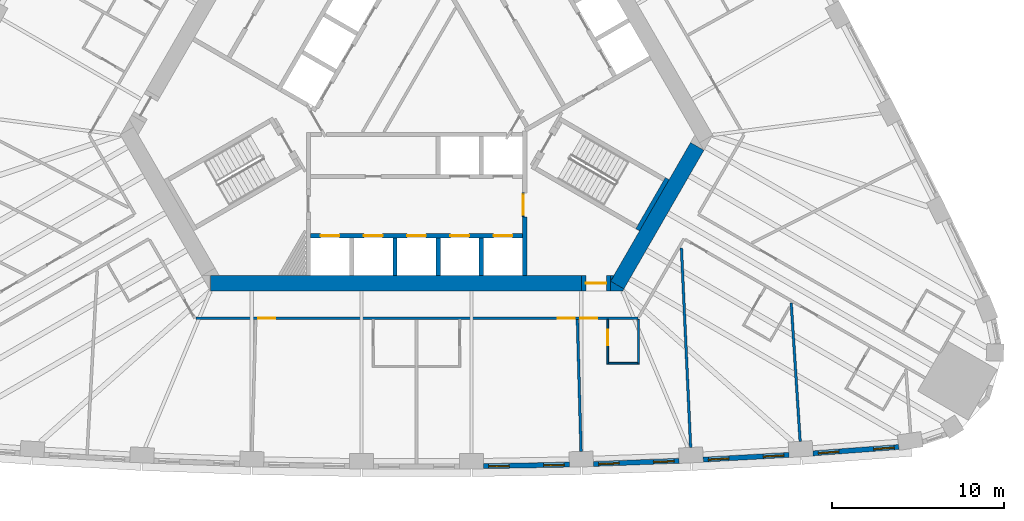
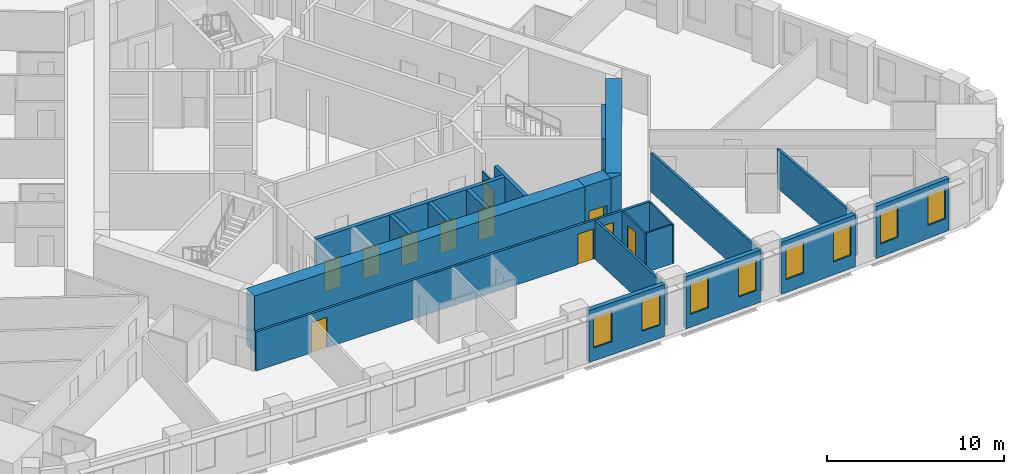
# One storey, part 6 of 12: 23 walls, 11 doors, 8 windows, 19 openings.
"""IFC4 building model written with IfcOpenShell, lengths in metres."""

from ifc_helpers import new_model, si_unit, direction, frame, frame_2d, origin, place, context, subcontext, project, spatial, polyline, rectangle, outline, extrude, material, layer, layer_set, type_object, element, fill, save


model = new_model("IFC4")

# Units and contexts
model_context = context("Model", 3, precision=1e-05, world=origin(), true_north=direction((0.0, 1.0)))
body_context = subcontext(model_context, "Body", "Model", "MODEL_VIEW")
ifc_project = project(units=[si_unit("LENGTHUNIT", "METRE"), si_unit("AREAUNIT", "SQUARE_METRE"), si_unit("VOLUMEUNIT", "CUBIC_METRE"), si_unit("PLANEANGLEUNIT", "RADIAN"), si_unit("MASSUNIT", "GRAM", prefix="KILO")], contexts=[model_context])

# Site, building, storey
site_placement = place(None, origin())
site = spatial("IfcSite", under=ifc_project, at=site_placement, CompositionType="ELEMENT")
building_placement = place(site_placement, origin())
building = spatial("IfcBuilding", under=site, at=building_placement, Name="Mestral Congress Tower", CompositionType="ELEMENT")
storey_placement = place(building_placement, frame((0.0, 0.0, 74.39990234375)))
storey = spatial("IfcBuildingStorey", under=building, at=storey_placement, Name="L17", CompositionType="ELEMENT", Elevation=74.39990234375)

# Wall, opening, door
ifc_material_1 = material(Name="Fire-rated board partition")
ifc_layer_1 = layer(ifc_material_1, 0.090087890625)
ifc_layer_set_1 = layer_set([ifc_layer_1], Name="Fire-rated board partition")
wall_type_1 = type_object("IfcWallType", Name="Core partition 150 door-wall 90", PredefinedType="PARTITIONING", material=ifc_layer_set_1)
wall_1_placement = place(storey_placement, frame((6.219970703125, -7.266357421875, 0.0), z_axis=(0.0, 0.0, 1.0), x_axis=(0.0, -1.0, 0.0)))
wall_1 = element("IfcWall", 1, at=wall_1_placement, inside=storey, type_object=wall_type_1, Name="L17 door wall", PredefinedType="PARTITIONING", context=body_context, shape_type="SweptSolid", body=[
    extrude(rectangle(XDim=1.400146484375, YDim=0.090087890625, at=frame_2d((0.7001953125, 0.0))), origin(), (0.0, 0.0, 1.0), 2.7001953125),
])
opening_1_placement = place(wall_1_placement, frame((0.10009765625, 0.0, 0.0)))
opening_1 = element("IfcOpeningElement", 2, at=opening_1_placement, cuts=wall_1, Name="Opening LB0-WL1", PredefinedType="OPENING", context=body_context, shape_type="SweptSolid", body=[
    extrude(rectangle(XDim=1.199951171875, YDim=2.10009765625, at=frame_2d((0.60009765625, 1.050048828125))), frame((0.0, 0.054931640625, 0.0), z_axis=(0.0, -1.0, 0.0), x_axis=(1.0, 0.0, 0.0)), (0.0, 0.0, 1.0), 0.110107421875),
])
ifc_material_2 = material(Name="Fire-rated steel door set", Category="steel")
door_type_1 = type_object("IfcDoorType", Name="Core door LB 1200x2100", OperationType="SINGLE_SWING_LEFT", PredefinedType="DOOR", material=ifc_material_2)
door_1_placement = place(opening_1_placement, origin())
door_1 = element("IfcDoor", 3, at=door_1_placement, inside=storey, type_object=door_type_1, Name="Door LB0-WL1", OperationType="SINGLE_SWING_LEFT", OverallHeight=2.10009765625, OverallWidth=1.199951171875, PredefinedType="DOOR", context=body_context, shape_type="SweptSolid", body=[
    extrude(rectangle(XDim=1.199951171875, YDim=2.10009765625, at=frame_2d((0.60009765625, 1.050048828125))), frame((0.0, 0.02490234375, 0.0), z_axis=(0.0, -1.0, 0.0), x_axis=(1.0, 0.0, 0.0)), (0.0, 0.0, 1.0), 0.050048828125),
])
fill(opening_1, door_1)

# Walls
ifc_material_3 = material(Name="Concrete C60/75", Category="concrete")
ifc_layer_2 = layer(ifc_material_3, 0.89990234375)
ifc_layer_set_2 = layer_set([ifc_layer_2], Name="Concrete C60/75")
wall_type_2 = type_object("IfcWallType", Name="Core wall RC 900", PredefinedType="SOLIDWALL", material=ifc_layer_set_2)
wall_2_placement = place(storey_placement, frame((11.69482421875, -12.643798828125, 0.0), z_axis=(0.0, 0.0, 1.0), x_axis=(0.500010229568, 0.86601949766, 0.0)))
element("IfcWall", 4, at=wall_2_placement, inside=storey, type_object=wall_type_2, Name="L17 core wall", PredefinedType="SOLIDWALL", context=body_context, shape_type="SweptSolid", body=[
    extrude(rectangle(XDim=9.326416015625, YDim=0.89990234375, at=frame_2d((4.6630859375, 0.0))), origin(), (0.0, 0.0, 1.0), 3.900146484375),
])
placement = place(storey_placement, origin())
element("IfcWall", 5, at=placement, inside=storey, type_object=wall_type_2, Name="L17 core wall", PredefinedType="SOLIDWALL", context=body_context, shape_type="SweptSolid", body=[
    extrude(outline(polyline([(12.0087890625, -13.0), (11.31201171875, -13.0), (11.31201171875, -12.425048828125), (12.08349609375, -12.87060546875), (12.0087890625, -13.0)])), origin(), (0.0, 0.0, 1.0), 3.900146484375),
])
element("IfcWall", 6, at=placement, inside=storey, type_object=wall_type_2, Name="L17 core wall", PredefinedType="SOLIDWALL", context=body_context, shape_type="SweptSolid", body=[
    extrude(outline(polyline([(11.4892578125, -12.10009765625), (11.31201171875, -12.4072265625), (11.31201171875, -12.10009765625), (11.4892578125, -12.10009765625)])), origin(), (0.0, 0.0, 1.0), 3.900146484375),
])
wall_5_placement = place(storey_placement, frame((-12.0185546875, -12.550048828125, 0.0), z_axis=(0.0, 0.0, 1.0), x_axis=(1.0, 0.0, 0.0)))
element("IfcWall", 7, at=wall_5_placement, inside=storey, type_object=wall_type_2, Name="L17 core wall", PredefinedType="SOLIDWALL", context=body_context, shape_type="SweptSolid", body=[
    extrude(rectangle(XDim=21.63037109375, YDim=0.89990234375, at=frame_2d((10.815185546875, 0.0))), origin(), (0.0, 0.0, 1.0), 3.900146484375),
])

# Wall, opening, door
wall_6_placement = place(storey_placement, frame((11.311767578125, -12.550048828125, 0.0), z_axis=(0.0, 0.0, 1.0), x_axis=(-1.0, 0.0, 0.0)))
wall_6 = element("IfcWall", 8, at=wall_6_placement, inside=storey, type_object=wall_type_2, Name="L17 door wall", PredefinedType="SOLIDWALL", context=body_context, shape_type="SweptSolid", body=[
    extrude(rectangle(XDim=1.699951171875, YDim=0.89990234375, at=frame_2d((0.85009765625, 0.0))), origin(), (0.0, 0.0, 1.0), 3.900146484375),
])
opening_2_placement = place(wall_6_placement, frame((0.25, 0.0, 0.0)))
opening_2 = element("IfcOpeningElement", 9, at=opening_2_placement, cuts=wall_6, Name="Opening XD1", PredefinedType="OPENING", context=body_context, shape_type="SweptSolid", body=[
    extrude(rectangle(XDim=1.199951171875, YDim=2.10009765625, at=frame_2d((0.60009765625, 1.050048828125))), frame((0.0, 0.4599609375, 0.0), z_axis=(0.0, -1.0, 0.0), x_axis=(1.0, 0.0, 0.0)), (0.0, 0.0, 1.0), 0.919921875),
])
door_type_2 = type_object("IfcDoorType", Name="Core door XD 1200x2100", OperationType="SINGLE_SWING_LEFT", PredefinedType="DOOR", material=ifc_material_2)
door_2_placement = place(opening_2_placement, origin())
door_2 = element("IfcDoor", 10, at=door_2_placement, inside=storey, type_object=door_type_2, Name="Door XD1", OperationType="SINGLE_SWING_LEFT", OverallHeight=2.10009765625, OverallWidth=1.199951171875, PredefinedType="DOOR", context=body_context, shape_type="SweptSolid", body=[
    extrude(rectangle(XDim=1.199951171875, YDim=2.10009765625, at=frame_2d((0.60009765625, 1.050048828125))), frame((0.0, 0.02490234375, 0.0), z_axis=(0.0, -1.0, 0.0), x_axis=(1.0, 0.0, 0.0)), (0.0, 0.0, 1.0), 0.050048828125),
])
fill(opening_2, door_2)

# Wall, openings, windows
ifc_material_4 = material(Name="Precast concrete C40/50 with limestone facing", Category="masonry")
ifc_layer_3 = layer(ifc_material_4, 0.2900390625)
ifc_layer_set_3 = layer_set([ifc_layer_3], Name="Precast concrete C40/50 with limestone facing")
wall_type_3 = type_object("IfcWallType", Name="Facade stone wall 290", PredefinedType="SOLIDWALL", material=ifc_layer_set_3)
wall_7_placement = place(storey_placement, frame((3.90625, -23.205078125, 0.0), z_axis=(0.0, 0.0, 1.0), x_axis=(0.999829529479, 0.018463801951, 0.0)))
wall_7 = element("IfcWall", 11, at=wall_7_placement, inside=storey, type_object=wall_type_3, Name="Facade wall F0-05", PredefinedType="SOLIDWALL", context=body_context, shape_type="SweptSolid", body=[
    extrude(rectangle(XDim=4.998046875, YDim=0.2900390625, at=frame_2d((2.4990234375, 0.0))), origin(), (0.0, 0.0, 1.0), 3.60009765625),
])
opening_3_placement = place(wall_7_placement, frame((0.297119140625, 0.0, 0.89990234375)))
opening_3 = element("IfcOpeningElement", 12, at=opening_3_placement, cuts=wall_7, Name="Opening W1", PredefinedType="OPENING", context=body_context, shape_type="SweptSolid", body=[
    extrude(rectangle(XDim=1.199951171875, YDim=2.14990234375, at=frame_2d((0.60009765625, 1.074951171875))), frame((0.0, 0.155029296875, 0.0), z_axis=(0.0, -1.0, 0.0), x_axis=(1.0, 0.0, 0.0)), (0.0, 0.0, 1.0), 0.31005859375),
])
opening_4_placement = place(wall_7_placement, frame((3.501220703125, 0.0, 0.89990234375)))
opening_4 = element("IfcOpeningElement", 13, at=opening_4_placement, cuts=wall_7, Name="Opening W1", PredefinedType="OPENING", context=body_context, shape_type="SweptSolid", body=[
    extrude(rectangle(XDim=1.199951171875, YDim=2.14990234375, at=frame_2d((0.60009765625, 1.074951171875))), frame((0.0, 0.155029296875, 0.0), z_axis=(0.0, -1.0, 0.0), x_axis=(1.0, 0.0, 0.0)), (0.0, 0.0, 1.0), 0.31005859375),
])
ifc_material_5 = material(Name="Clear low-emissivity double glazing", Category="glass")
window_type = type_object("IfcWindowType", Name="Facade punched window 1200 x 2150 sill 900", PartitioningType="DOUBLE_PANEL_VERTICAL", PredefinedType="WINDOW", material=ifc_material_5)
window_1_placement = place(opening_3_placement, origin())
window_1 = element("IfcWindow", 14, at=window_1_placement, inside=storey, type_object=window_type, Name="Window F0-05a", OverallHeight=2.14990234375, OverallWidth=1.199951171875, PartitioningType="DOUBLE_PANEL_VERTICAL", PredefinedType="WINDOW", context=body_context, shape_type="SweptSolid", body=[
    extrude(rectangle(XDim=1.199951171875, YDim=2.14990234375, at=frame_2d((0.60009765625, 1.074951171875))), frame((0.0, 0.01513671875, 0.0), z_axis=(0.0, -1.0, 0.0), x_axis=(1.0, 0.0, 0.0)), (0.0, 0.0, 1.0), 0.06005859375),
])
fill(opening_3, window_1)
window_2_placement = place(opening_4_placement, origin())
window_2 = element("IfcWindow", 15, at=window_2_placement, inside=storey, type_object=window_type, Name="Window F0-05b", OverallHeight=2.14990234375, OverallWidth=1.199951171875, PartitioningType="DOUBLE_PANEL_VERTICAL", PredefinedType="WINDOW", context=body_context, shape_type="SweptSolid", body=[
    extrude(rectangle(XDim=1.199951171875, YDim=2.14990234375, at=frame_2d((0.60009765625, 1.074951171875))), frame((0.0, 0.01513671875, 0.0), z_axis=(0.0, -1.0, 0.0), x_axis=(1.0, 0.0, 0.0)), (0.0, 0.0, 1.0), 0.06005859375),
])
fill(opening_4, window_2)

wall_8_placement = place(storey_placement, frame((10.310302734375, -23.07373046875, 0.0), z_axis=(0.0, 0.0, 1.0), x_axis=(0.999317974969, 0.036926750529, 0.0)))
wall_8 = element("IfcWall", 16, at=wall_8_placement, inside=storey, type_object=wall_type_3, Name="Facade wall F0-06", PredefinedType="SOLIDWALL", context=body_context, shape_type="SweptSolid", body=[
    extrude(rectangle(XDim=4.998291015625, YDim=0.2900390625, at=frame_2d((2.4990234375, 0.0))), origin(), (0.0, 0.0, 1.0), 3.60009765625),
])
opening_5_placement = place(wall_8_placement, frame((0.297119140625, 0.0, 0.89990234375)))
opening_5 = element("IfcOpeningElement", 17, at=opening_5_placement, cuts=wall_8, Name="Opening W1", PredefinedType="OPENING", context=body_context, shape_type="SweptSolid", body=[
    extrude(rectangle(XDim=1.199951171875, YDim=2.14990234375, at=frame_2d((0.60009765625, 1.074951171875))), frame((0.0, 0.155029296875, 0.0), z_axis=(0.0, -1.0, 0.0), x_axis=(1.0, 0.0, 0.0)), (0.0, 0.0, 1.0), 0.31005859375),
])
opening_6_placement = place(wall_8_placement, frame((3.501220703125, 0.0, 0.89990234375)))
opening_6 = element("IfcOpeningElement", 18, at=opening_6_placement, cuts=wall_8, Name="Opening W1", PredefinedType="OPENING", context=body_context, shape_type="SweptSolid", body=[
    extrude(rectangle(XDim=1.199951171875, YDim=2.14990234375, at=frame_2d((0.60009765625, 1.074951171875))), frame((0.0, 0.155029296875, 0.0), z_axis=(0.0, -1.0, 0.0), x_axis=(1.0, 0.0, 0.0)), (0.0, 0.0, 1.0), 0.31005859375),
])
window_3_placement = place(opening_5_placement, origin())
window_3 = element("IfcWindow", 19, at=window_3_placement, inside=storey, type_object=window_type, Name="Window F0-06a", OverallHeight=2.14990234375, OverallWidth=1.199951171875, PartitioningType="DOUBLE_PANEL_VERTICAL", PredefinedType="WINDOW", context=body_context, shape_type="SweptSolid", body=[
    extrude(rectangle(XDim=1.199951171875, YDim=2.14990234375, at=frame_2d((0.60009765625, 1.074951171875))), frame((0.0, 0.01513671875, 0.0), z_axis=(0.0, -1.0, 0.0), x_axis=(1.0, 0.0, 0.0)), (0.0, 0.0, 1.0), 0.06005859375),
])
fill(opening_5, window_3)
window_4_placement = place(opening_6_placement, origin())
window_4 = element("IfcWindow", 20, at=window_4_placement, inside=storey, type_object=window_type, Name="Window F0-06b", OverallHeight=2.14990234375, OverallWidth=1.199951171875, PartitioningType="DOUBLE_PANEL_VERTICAL", PredefinedType="WINDOW", context=body_context, shape_type="SweptSolid", body=[
    extrude(rectangle(XDim=1.199951171875, YDim=2.14990234375, at=frame_2d((0.60009765625, 1.074951171875))), frame((0.0, 0.01513671875, 0.0), z_axis=(0.0, -1.0, 0.0), x_axis=(1.0, 0.0, 0.0)), (0.0, 0.0, 1.0), 0.06005859375),
])
fill(opening_6, window_4)

wall_9_placement = place(storey_placement, frame((16.7109375, -22.823974609375, 0.0), z_axis=(0.0, 0.0, 1.0), x_axis=(0.998464708705, 0.055391564976, 0.0)))
wall_9 = element("IfcWall", 21, at=wall_9_placement, inside=storey, type_object=wall_type_3, Name="Facade wall F0-07", PredefinedType="SOLIDWALL", context=body_context, shape_type="SweptSolid", body=[
    extrude(rectangle(XDim=4.998046875, YDim=0.2900390625, at=frame_2d((2.4990234375, 0.0))), origin(), (0.0, 0.0, 1.0), 3.60009765625),
])
opening_7_placement = place(wall_9_placement, frame((0.297119140625, 0.0, 0.89990234375)))
opening_7 = element("IfcOpeningElement", 22, at=opening_7_placement, cuts=wall_9, Name="Opening W1", PredefinedType="OPENING", context=body_context, shape_type="SweptSolid", body=[
    extrude(rectangle(XDim=1.199951171875, YDim=2.14990234375, at=frame_2d((0.60009765625, 1.074951171875))), frame((0.0, 0.155029296875, 0.0), z_axis=(0.0, -1.0, 0.0), x_axis=(1.0, 0.0, 0.0)), (0.0, 0.0, 1.0), 0.31005859375),
])
opening_8_placement = place(wall_9_placement, frame((3.501220703125, 0.0, 0.89990234375)))
opening_8 = element("IfcOpeningElement", 23, at=opening_8_placement, cuts=wall_9, Name="Opening W1", PredefinedType="OPENING", context=body_context, shape_type="SweptSolid", body=[
    extrude(rectangle(XDim=1.199951171875, YDim=2.14990234375, at=frame_2d((0.60009765625, 1.074951171875))), frame((0.0, 0.155029296875, 0.0), z_axis=(0.0, -1.0, 0.0), x_axis=(1.0, 0.0, 0.0)), (0.0, 0.0, 1.0), 0.31005859375),
])
window_5_placement = place(opening_7_placement, origin())
window_5 = element("IfcWindow", 24, at=window_5_placement, inside=storey, type_object=window_type, Name="Window F0-07a", OverallHeight=2.14990234375, OverallWidth=1.199951171875, PartitioningType="DOUBLE_PANEL_VERTICAL", PredefinedType="WINDOW", context=body_context, shape_type="SweptSolid", body=[
    extrude(rectangle(XDim=1.199951171875, YDim=2.14990234375, at=frame_2d((0.60009765625, 1.074951171875))), frame((0.0, 0.01513671875, 0.0), z_axis=(0.0, -1.0, 0.0), x_axis=(1.0, 0.0, 0.0)), (0.0, 0.0, 1.0), 0.06005859375),
])
fill(opening_7, window_5)
window_6_placement = place(opening_8_placement, origin())
window_6 = element("IfcWindow", 25, at=window_6_placement, inside=storey, type_object=window_type, Name="Window F0-07b", OverallHeight=2.14990234375, OverallWidth=1.199951171875, PartitioningType="DOUBLE_PANEL_VERTICAL", PredefinedType="WINDOW", context=body_context, shape_type="SweptSolid", body=[
    extrude(rectangle(XDim=1.199951171875, YDim=2.14990234375, at=frame_2d((0.60009765625, 1.074951171875))), frame((0.0, 0.01513671875, 0.0), z_axis=(0.0, -1.0, 0.0), x_axis=(1.0, 0.0, 0.0)), (0.0, 0.0, 1.0), 0.06005859375),
])
fill(opening_8, window_6)

wall_10_placement = place(storey_placement, frame((23.10595703125, -22.4560546875, 0.0), z_axis=(0.0, 0.0, 1.0), x_axis=(0.997266290399, 0.073891447643, 0.0)))
wall_10 = element("IfcWall", 26, at=wall_10_placement, inside=storey, type_object=wall_type_3, Name="Facade wall F0-08", PredefinedType="SOLIDWALL", context=body_context, shape_type="SweptSolid", body=[
    extrude(rectangle(XDim=5.005615234375, YDim=0.2900390625, at=frame_2d((2.5029296875, 0.0))), origin(), (0.0, 0.0, 1.0), 3.60009765625),
])
opening_9_placement = place(wall_10_placement, frame((0.31005859375, 0.0, 0.89990234375)))
opening_9 = element("IfcOpeningElement", 27, at=opening_9_placement, cuts=wall_10, Name="Opening W1", PredefinedType="OPENING", context=body_context, shape_type="SweptSolid", body=[
    extrude(rectangle(XDim=1.199951171875, YDim=2.14990234375, at=frame_2d((0.60009765625, 1.074951171875))), frame((0.0, 0.155029296875, 0.0), z_axis=(0.0, -1.0, 0.0), x_axis=(1.0, 0.0, 0.0)), (0.0, 0.0, 1.0), 0.31005859375),
])
opening_10_placement = place(wall_10_placement, frame((3.540283203125, 0.0, 0.89990234375)))
opening_10 = element("IfcOpeningElement", 28, at=opening_10_placement, cuts=wall_10, Name="Opening W1", PredefinedType="OPENING", context=body_context, shape_type="SweptSolid", body=[
    extrude(rectangle(XDim=1.199951171875, YDim=2.14990234375, at=frame_2d((0.60009765625, 1.074951171875))), frame((0.0, 0.155029296875, 0.0), z_axis=(0.0, -1.0, 0.0), x_axis=(1.0, 0.0, 0.0)), (0.0, 0.0, 1.0), 0.31005859375),
])
window_7_placement = place(opening_9_placement, origin())
window_7 = element("IfcWindow", 29, at=window_7_placement, inside=storey, type_object=window_type, Name="Window F0-08a", OverallHeight=2.14990234375, OverallWidth=1.199951171875, PartitioningType="DOUBLE_PANEL_VERTICAL", PredefinedType="WINDOW", context=body_context, shape_type="SweptSolid", body=[
    extrude(rectangle(XDim=1.199951171875, YDim=2.14990234375, at=frame_2d((0.60009765625, 1.074951171875))), frame((0.0, 0.01513671875, 0.0), z_axis=(0.0, -1.0, 0.0), x_axis=(1.0, 0.0, 0.0)), (0.0, 0.0, 1.0), 0.06005859375),
])
fill(opening_9, window_7)
window_8_placement = place(opening_10_placement, origin())
window_8 = element("IfcWindow", 30, at=window_8_placement, inside=storey, type_object=window_type, Name="Window F0-08b", OverallHeight=2.14990234375, OverallWidth=1.199951171875, PartitioningType="DOUBLE_PANEL_VERTICAL", PredefinedType="WINDOW", context=body_context, shape_type="SweptSolid", body=[
    extrude(rectangle(XDim=1.199951171875, YDim=2.14990234375, at=frame_2d((0.60009765625, 1.074951171875))), frame((0.0, 0.01513671875, 0.0), z_axis=(0.0, -1.0, 0.0), x_axis=(1.0, 0.0, 0.0)), (0.0, 0.0, 1.0), 0.06005859375),
])
fill(opening_10, window_8)

# Wall, opening, door
ifc_material_6 = material(Name="Gypsum board partition on metal studs with mineral wool", Category="composite")
ifc_layer_4 = layer(ifc_material_6, 0.10009765625)
ifc_layer_set_4 = layer_set([ifc_layer_4], Name="Gypsum board partition on metal studs with mineral wool")
wall_type_4 = type_object("IfcWallType", Name="Hotel partition wall 100", PredefinedType="PARTITIONING", material=ifc_layer_set_4)
wall_11_placement = place(storey_placement, frame((11.13818359375, -14.64990234375, 0.0), z_axis=(0.0, 0.0, 1.0), x_axis=(0.0, -1.0, 0.0)))
wall_11 = element("IfcWall", 31, at=wall_11_placement, inside=storey, type_object=wall_type_4, Name="L17-h-pod05a", PredefinedType="PARTITIONING", context=body_context, shape_type="SweptSolid", body=[
    extrude(rectangle(XDim=2.60009765625, YDim=0.10009765625, at=frame_2d((1.300048828125, 0.0))), origin(), (0.0, 0.0, 1.0), 2.7001953125),
])
opening_11_placement = place(wall_11_placement, frame((0.60009765625, 0.0, 0.0)))
opening_11 = element("IfcOpeningElement", 32, at=opening_11_placement, cuts=wall_11, Name="Opening H05-010", PredefinedType="OPENING", context=body_context, shape_type="SweptSolid", body=[
    extrude(rectangle(XDim=0.89990234375, YDim=2.10009765625, at=frame_2d((0.449951171875, 1.050048828125))), frame((0.0, 0.06005859375, 0.0), z_axis=(0.0, -1.0, 0.0), x_axis=(1.0, 0.0, 0.0)), (0.0, 0.0, 1.0), 0.1201171875),
])
ifc_material_7 = material(Name="Timber veneer door leaf in timber frame", Category="wood")
door_type_3 = type_object("IfcDoorType", Name="Bathroom door 900", OperationType="SINGLE_SWING_LEFT", PredefinedType="DOOR", material=ifc_material_7)
door_3_placement = place(opening_11_placement, origin())
door_3 = element("IfcDoor", 33, at=door_3_placement, inside=storey, type_object=door_type_3, Name="L17-h-d010", OperationType="SINGLE_SWING_LEFT", OverallHeight=2.10009765625, OverallWidth=0.89990234375, PredefinedType="DOOR", context=body_context, shape_type="SweptSolid", body=[
    extrude(rectangle(XDim=0.89990234375, YDim=2.10009765625, at=frame_2d((0.449951171875, 1.050048828125))), frame((0.0, 0.02490234375, 0.0), z_axis=(0.0, -1.0, 0.0), x_axis=(1.0, 0.0, 0.0)), (0.0, 0.0, 1.0), 0.050048828125),
])
fill(opening_11, door_3)

# Walls
wall_12_placement = place(storey_placement, frame((11.188232421875, -17.199951171875, 0.0), z_axis=(0.0, 0.0, 1.0), x_axis=(1.0, 0.0, 0.0)))
element("IfcWall", 34, at=wall_12_placement, inside=storey, type_object=wall_type_4, Name="L17-h-pod05b", PredefinedType="PARTITIONING", context=body_context, shape_type="SweptSolid", body=[
    extrude(rectangle(XDim=1.699951171875, YDim=0.10009765625, at=frame_2d((0.85009765625, 0.0))), origin(), (0.0, 0.0, 1.0), 2.7001953125),
])
wall_13_placement = place(storey_placement, frame((12.938232421875, -14.64990234375, 0.0), z_axis=(0.0, 0.0, 1.0), x_axis=(0.0, -1.0, 0.0)))
element("IfcWall", 35, at=wall_13_placement, inside=storey, type_object=wall_type_4, Name="L17-h-pod05c", PredefinedType="PARTITIONING", context=body_context, shape_type="SweptSolid", body=[
    extrude(rectangle(XDim=2.60009765625, YDim=0.10009765625, at=frame_2d((1.300048828125, 0.0))), origin(), (0.0, 0.0, 1.0), 2.7001953125),
])

# Wall, openings, doors
ifc_layer_5 = layer(ifc_material_6, 0.14990234375)
ifc_layer_set_5 = layer_set([ifc_layer_5], Name="Gypsum board partition on metal studs with mineral wool")
wall_type_5 = type_object("IfcWallType", Name="Hotel partition wall 150", PredefinedType="PARTITIONING", material=ifc_layer_set_5)
wall_14_placement = place(storey_placement, frame((12.918212890625, -14.574951171875, 0.0), z_axis=(0.0, 0.0, 1.0), x_axis=(-1.0, 0.0, 0.0)))
wall_14 = element("IfcWall", 36, at=wall_14_placement, inside=storey, type_object=wall_type_5, Name="L17-h-cw13", PredefinedType="PARTITIONING", context=body_context, shape_type="SweptSolid", body=[
    extrude(rectangle(XDim=25.766357421875, YDim=0.14990234375, at=frame_2d((12.88330078125, 0.0))), origin(), (0.0, 0.0, 1.0), 2.7001953125),
])
opening_12_placement = place(wall_14_placement, frame((21.137451171875, 0.0, 0.0)))
opening_12 = element("IfcOpeningElement", 37, at=opening_12_placement, cuts=wall_14, Name="Opening H05-005", PredefinedType="OPENING", context=body_context, shape_type="SweptSolid", body=[
    extrude(rectangle(XDim=1.0, YDim=2.10009765625, at=frame_2d((0.5, 1.050048828125))), frame((0.0, 0.0849609375, 0.0), z_axis=(0.0, -1.0, 0.0), x_axis=(1.0, 0.0, 0.0)), (0.0, 0.0, 1.0), 0.169921875),
])
opening_13_placement = place(wall_14_placement, frame((3.698974609375, 0.0, 0.0)))
opening_13 = element("IfcOpeningElement", 38, at=opening_13_placement, cuts=wall_14, Name="Opening H05-007", PredefinedType="OPENING", context=body_context, shape_type="SweptSolid", body=[
    extrude(rectangle(XDim=1.0, YDim=2.10009765625, at=frame_2d((0.5, 1.050048828125))), frame((0.0, 0.0849609375, 0.0), z_axis=(0.0, -1.0, 0.0), x_axis=(1.0, 0.0, 0.0)), (0.0, 0.0, 1.0), 0.169921875),
])
opening_14_placement = place(wall_14_placement, frame((2.3916015625, 0.0, 0.0)))
opening_14 = element("IfcOpeningElement", 39, at=opening_14_placement, cuts=wall_14, Name="Opening H05-009", PredefinedType="OPENING", context=body_context, shape_type="SweptSolid", body=[
    extrude(rectangle(XDim=1.0, YDim=2.10009765625, at=frame_2d((0.5, 1.050048828125))), frame((0.0, 0.0849609375, 0.0), z_axis=(0.0, -1.0, 0.0), x_axis=(1.0, 0.0, 0.0)), (0.0, 0.0, 1.0), 0.169921875),
])
ifc_material_8 = material(Name="Timber veneer door leaf in metal frame", Category="wood")
door_type_4 = type_object("IfcDoorType", Name="Guest room entrance door 1000", OperationType="SINGLE_SWING_LEFT", PredefinedType="DOOR", material=ifc_material_8)
door_4_placement = place(opening_12_placement, origin())
door_4 = element("IfcDoor", 40, at=door_4_placement, inside=storey, type_object=door_type_4, Name="L17-h-d005", OperationType="SINGLE_SWING_RIGHT", OverallHeight=2.10009765625, OverallWidth=1.0, PredefinedType="DOOR", context=body_context, shape_type="SweptSolid", body=[
    extrude(rectangle(XDim=1.0, YDim=2.10009765625, at=frame_2d((0.5, 1.050048828125))), frame((0.0, 0.02490234375, 0.0), z_axis=(0.0, -1.0, 0.0), x_axis=(1.0, 0.0, 0.0)), (0.0, 0.0, 1.0), 0.050048828125),
])
fill(opening_12, door_4)
door_5_placement = place(opening_13_placement, origin())
door_5 = element("IfcDoor", 41, at=door_5_placement, inside=storey, type_object=door_type_4, Name="L17-h-d007", OperationType="SINGLE_SWING_LEFT", OverallHeight=2.10009765625, OverallWidth=1.0, PredefinedType="DOOR", context=body_context, shape_type="SweptSolid", body=[
    extrude(rectangle(XDim=1.0, YDim=2.10009765625, at=frame_2d((0.5, 1.050048828125))), frame((0.0, 0.02490234375, 0.0), z_axis=(0.0, -1.0, 0.0), x_axis=(1.0, 0.0, 0.0)), (0.0, 0.0, 1.0), 0.050048828125),
])
fill(opening_13, door_5)
door_6_placement = place(opening_14_placement, origin())
door_6 = element("IfcDoor", 42, at=door_6_placement, inside=storey, type_object=door_type_4, Name="L17-h-d009", OperationType="SINGLE_SWING_RIGHT", OverallHeight=2.10009765625, OverallWidth=1.0, PredefinedType="DOOR", context=body_context, shape_type="SweptSolid", body=[
    extrude(rectangle(XDim=1.0, YDim=2.10009765625, at=frame_2d((0.5, 1.050048828125))), frame((0.0, 0.02490234375, 0.0), z_axis=(0.0, -1.0, 0.0), x_axis=(1.0, 0.0, 0.0)), (0.0, 0.0, 1.0), 0.050048828125),
])
fill(opening_14, door_6)

# Walls
wall_15_placement = place(storey_placement, frame((9.586181640625, -22.34521484375, 0.0), z_axis=(0.0, 0.0, 1.0), x_axis=(-0.027722115646, 0.999615668297, 0.0)))
element("IfcWall", 43, at=wall_15_placement, inside=storey, type_object=wall_type_5, Name="L17-h-pw17", PredefinedType="PARTITIONING", context=body_context, shape_type="SweptSolid", body=[
    extrude(rectangle(XDim=7.688232421875, YDim=0.14990234375, at=frame_2d((3.84423828125, 0.0))), origin(), (0.0, 0.0, 1.0), 2.7001953125),
])
wall_16_placement = place(storey_placement, frame((15.973388671875, -22.10888671875, 0.0), z_axis=(0.0, 0.0, 1.0), x_axis=(-0.046191717129, 0.998932592955, 0.0)))
element("IfcWall", 44, at=wall_16_placement, inside=storey, type_object=wall_type_5, Name="L17-h-pw19", PredefinedType="PARTITIONING", context=body_context, shape_type="SweptSolid", body=[
    extrude(rectangle(XDim=11.638427734375, YDim=0.14990234375, at=frame_2d((5.8193359375, 0.0))), origin(), (0.0, 0.0, 1.0), 2.7001953125),
])
wall_17_placement = place(storey_placement, frame((22.355224609375, -21.75439453125, 0.0), z_axis=(0.0, 0.0, 1.0), x_axis=(-0.064639533143, 0.997908678565, 0.0)))
element("IfcWall", 45, at=wall_17_placement, inside=storey, type_object=wall_type_5, Name="L17-h-pw22", PredefinedType="PARTITIONING", context=body_context, shape_type="SweptSolid", body=[
    extrude(rectangle(XDim=8.078857421875, YDim=0.14990234375, at=frame_2d((4.03955078125, 0.0))), origin(), (0.0, 0.0, 1.0), 2.7001953125),
])
ifc_layer_6 = layer(ifc_material_3, 0.25)
ifc_layer_set_6 = layer_set([ifc_layer_6], Name="Concrete C60/75")
wall_type_6 = type_object("IfcWallType", Name="Shaft wall RC 250", PredefinedType="SOLIDWALL", material=ifc_layer_set_6)
wall_18_placement = place(storey_placement, frame((6.300048828125, -12.10009765625, 0.0), z_axis=(0.0, 0.0, 1.0), x_axis=(0.0, 1.0, 0.0)))
element("IfcWall", 46, at=wall_18_placement, inside=storey, type_object=wall_type_6, Name="L17 core wall", PredefinedType="SOLIDWALL", context=body_context, shape_type="SweptSolid", body=[
    extrude(rectangle(XDim=3.427978515625, YDim=0.25, at=frame_2d((1.7138671875, 0.0))), origin(), (0.0, 0.0, 1.0), 3.900146484375),
])
for number, where, z_axis, x_axis, name in (
    (47, (3.780029296875, -12.10009765625, 0.0), (0.0, 0.0, 1.0), (0.0, 1.0, 0.0), "L17 core wall"),
    (48, (1.260009765625, -12.10009765625, 0.0), (0.0, 0.0, 1.0), (0.0, 1.0, 0.0), "L17 core wall"),
    (49, (-1.260009765625, -12.10009765625, 0.0), (0.0, 0.0, 1.0), (0.0, 1.0, 0.0), "L17 core wall"),
):
    element("IfcWall", number, at=place(storey_placement, frame(where, z_axis=z_axis, x_axis=x_axis)), inside=storey, type_object=wall_type_6, Name=name, PredefinedType="SOLIDWALL", context=body_context, shape_type="SweptSolid", body=[
        extrude(rectangle(XDim=2.199951171875, YDim=0.25, at=frame_2d((1.10009765625, 0.0))), origin(), (0.0, 0.0, 1.0), 3.900146484375),
    ])

# Wall, openings, doors
wall_19_placement = place(storey_placement, frame((-6.175048828125, -9.77490234375, 0.0), z_axis=(0.0, 0.0, 1.0), x_axis=(1.0, 0.0, 0.0)))
wall_19 = element("IfcWall", 50, at=wall_19_placement, inside=storey, type_object=wall_type_6, Name="L17 door wall", PredefinedType="SOLIDWALL", context=body_context, shape_type="SweptSolid", body=[
    extrude(rectangle(XDim=12.35009765625, YDim=0.25, at=frame_2d((6.175048828125, 0.0))), origin(), (0.0, 0.0, 1.0), 3.900146484375),
])
opening_15_placement = place(wall_19_placement, frame((0.5849609375, 0.0, 0.0)))
opening_15 = element("IfcOpeningElement", 51, at=opening_15_placement, cuts=wall_19, Name="Opening LD-SOA1", PredefinedType="OPENING", context=body_context, shape_type="SweptSolid", body=[
    extrude(rectangle(XDim=1.10009765625, YDim=2.10009765625, at=frame_2d((0.550048828125, 1.050048828125))), frame((0.0, 0.135009765625, 0.0), z_axis=(0.0, -1.0, 0.0), x_axis=(1.0, 0.0, 0.0)), (0.0, 0.0, 1.0), 0.27001953125),
])
opening_16_placement = place(wall_19_placement, frame((3.10498046875, 0.0, 0.0)))
opening_16 = element("IfcOpeningElement", 52, at=opening_16_placement, cuts=wall_19, Name="Opening LD-SOA2", PredefinedType="OPENING", context=body_context, shape_type="SweptSolid", body=[
    extrude(rectangle(XDim=1.10009765625, YDim=2.10009765625, at=frame_2d((0.550048828125, 1.050048828125))), frame((0.0, 0.135009765625, 0.0), z_axis=(0.0, -1.0, 0.0), x_axis=(1.0, 0.0, 0.0)), (0.0, 0.0, 1.0), 0.27001953125),
])
opening_17_placement = place(wall_19_placement, frame((5.625, 0.0, 0.0)))
opening_17 = element("IfcOpeningElement", 53, at=opening_17_placement, cuts=wall_19, Name="Opening LD-SOA3", PredefinedType="OPENING", context=body_context, shape_type="SweptSolid", body=[
    extrude(rectangle(XDim=1.10009765625, YDim=2.10009765625, at=frame_2d((0.550048828125, 1.050048828125))), frame((0.0, 0.135009765625, 0.0), z_axis=(0.0, -1.0, 0.0), x_axis=(1.0, 0.0, 0.0)), (0.0, 0.0, 1.0), 0.27001953125),
])
opening_18_placement = place(wall_19_placement, frame((8.14501953125, 0.0, 0.0)))
opening_18 = element("IfcOpeningElement", 54, at=opening_18_placement, cuts=wall_19, Name="Opening LD-SOA4", PredefinedType="OPENING", context=body_context, shape_type="SweptSolid", body=[
    extrude(rectangle(XDim=1.10009765625, YDim=2.10009765625, at=frame_2d((0.550048828125, 1.050048828125))), frame((0.0, 0.135009765625, 0.0), z_axis=(0.0, -1.0, 0.0), x_axis=(1.0, 0.0, 0.0)), (0.0, 0.0, 1.0), 0.27001953125),
])
opening_19_placement = place(wall_19_placement, frame((10.6650390625, 0.0, 0.0)))
opening_19 = element("IfcOpeningElement", 55, at=opening_19_placement, cuts=wall_19, Name="Opening LD-SOA5", PredefinedType="OPENING", context=body_context, shape_type="SweptSolid", body=[
    extrude(rectangle(XDim=1.10009765625, YDim=2.10009765625, at=frame_2d((0.550048828125, 1.050048828125))), frame((0.0, 0.135009765625, 0.0), z_axis=(0.0, -1.0, 0.0), x_axis=(1.0, 0.0, 0.0)), (0.0, 0.0, 1.0), 0.27001953125),
])
door_type_5 = type_object("IfcDoorType", Name="Core door LD 1100x2100", OperationType="DOUBLE_DOOR_SLIDING", PredefinedType="DOOR", material=ifc_material_2)
door_7_placement = place(opening_15_placement, origin())
door_7 = element("IfcDoor", 56, at=door_7_placement, inside=storey, type_object=door_type_5, Name="Door LD-SOA1", OperationType="DOUBLE_DOOR_SLIDING", OverallHeight=2.10009765625, OverallWidth=1.10009765625, PredefinedType="DOOR", context=body_context, shape_type="SweptSolid", body=[
    extrude(rectangle(XDim=1.10009765625, YDim=2.10009765625, at=frame_2d((0.550048828125, 1.050048828125))), frame((0.0, 0.02490234375, 0.0), z_axis=(0.0, -1.0, 0.0), x_axis=(1.0, 0.0, 0.0)), (0.0, 0.0, 1.0), 0.050048828125),
])
fill(opening_15, door_7)
door_8_placement = place(opening_16_placement, origin())
door_8 = element("IfcDoor", 57, at=door_8_placement, inside=storey, type_object=door_type_5, Name="Door LD-SOA2", OperationType="DOUBLE_DOOR_SLIDING", OverallHeight=2.10009765625, OverallWidth=1.10009765625, PredefinedType="DOOR", context=body_context, shape_type="SweptSolid", body=[
    extrude(rectangle(XDim=1.10009765625, YDim=2.10009765625, at=frame_2d((0.550048828125, 1.050048828125))), frame((0.0, 0.02490234375, 0.0), z_axis=(0.0, -1.0, 0.0), x_axis=(1.0, 0.0, 0.0)), (0.0, 0.0, 1.0), 0.050048828125),
])
fill(opening_16, door_8)
door_9_placement = place(opening_17_placement, origin())
door_9 = element("IfcDoor", 58, at=door_9_placement, inside=storey, type_object=door_type_5, Name="Door LD-SOA3", OperationType="DOUBLE_DOOR_SLIDING", OverallHeight=2.10009765625, OverallWidth=1.10009765625, PredefinedType="DOOR", context=body_context, shape_type="SweptSolid", body=[
    extrude(rectangle(XDim=1.10009765625, YDim=2.10009765625, at=frame_2d((0.550048828125, 1.050048828125))), frame((0.0, 0.02490234375, 0.0), z_axis=(0.0, -1.0, 0.0), x_axis=(1.0, 0.0, 0.0)), (0.0, 0.0, 1.0), 0.050048828125),
])
fill(opening_17, door_9)
door_10_placement = place(opening_18_placement, origin())
door_10 = element("IfcDoor", 59, at=door_10_placement, inside=storey, type_object=door_type_5, Name="Door LD-SOA4", OperationType="DOUBLE_DOOR_SLIDING", OverallHeight=2.10009765625, OverallWidth=1.10009765625, PredefinedType="DOOR", context=body_context, shape_type="SweptSolid", body=[
    extrude(rectangle(XDim=1.10009765625, YDim=2.10009765625, at=frame_2d((0.550048828125, 1.050048828125))), frame((0.0, 0.02490234375, 0.0), z_axis=(0.0, -1.0, 0.0), x_axis=(1.0, 0.0, 0.0)), (0.0, 0.0, 1.0), 0.050048828125),
])
fill(opening_18, door_10)
door_11_placement = place(opening_19_placement, origin())
door_11 = element("IfcDoor", 60, at=door_11_placement, inside=storey, type_object=door_type_5, Name="Door LD-SOA5", OperationType="DOUBLE_DOOR_SLIDING", OverallHeight=2.10009765625, OverallWidth=1.10009765625, PredefinedType="DOOR", context=body_context, shape_type="SweptSolid", body=[
    extrude(rectangle(XDim=1.10009765625, YDim=2.10009765625, at=frame_2d((0.550048828125, 1.050048828125))), frame((0.0, 0.02490234375, 0.0), z_axis=(0.0, -1.0, 0.0), x_axis=(1.0, 0.0, 0.0)), (0.0, 0.0, 1.0), 0.050048828125),
])
fill(opening_19, door_11)

# Wall
ifc_layer_7 = layer(ifc_material_3, 0.25)
ifc_layer_set_7 = layer_set([ifc_layer_7], Name="Concrete C60/75")
wall_type_7 = type_object("IfcWallType", Name="Stair wall RC 250", PredefinedType="SOLIDWALL", material=ifc_layer_set_7)
wall_20_placement = place(storey_placement, frame((12.885498046875, -9.431396484375, 0.0), z_axis=(0.0, 0.0, 1.0), x_axis=(0.500020560727, 0.866013532718, 0.0)))
element("IfcWall", 61, at=wall_20_placement, inside=storey, type_object=wall_type_7, Name="L17 core wall", PredefinedType="SOLIDWALL", context=body_context, shape_type="SweptSolid", body=[
    extrude(rectangle(XDim=3.449951171875, YDim=0.25, at=frame_2d((1.72509765625, 0.0))), origin(), (0.0, 0.0, 1.0), 3.900146484375),
])

save(model, "model.ifc")
